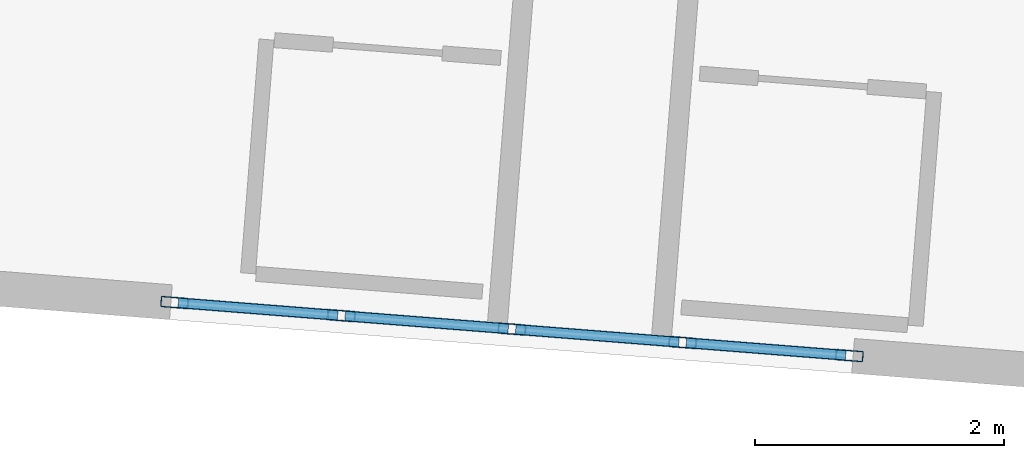
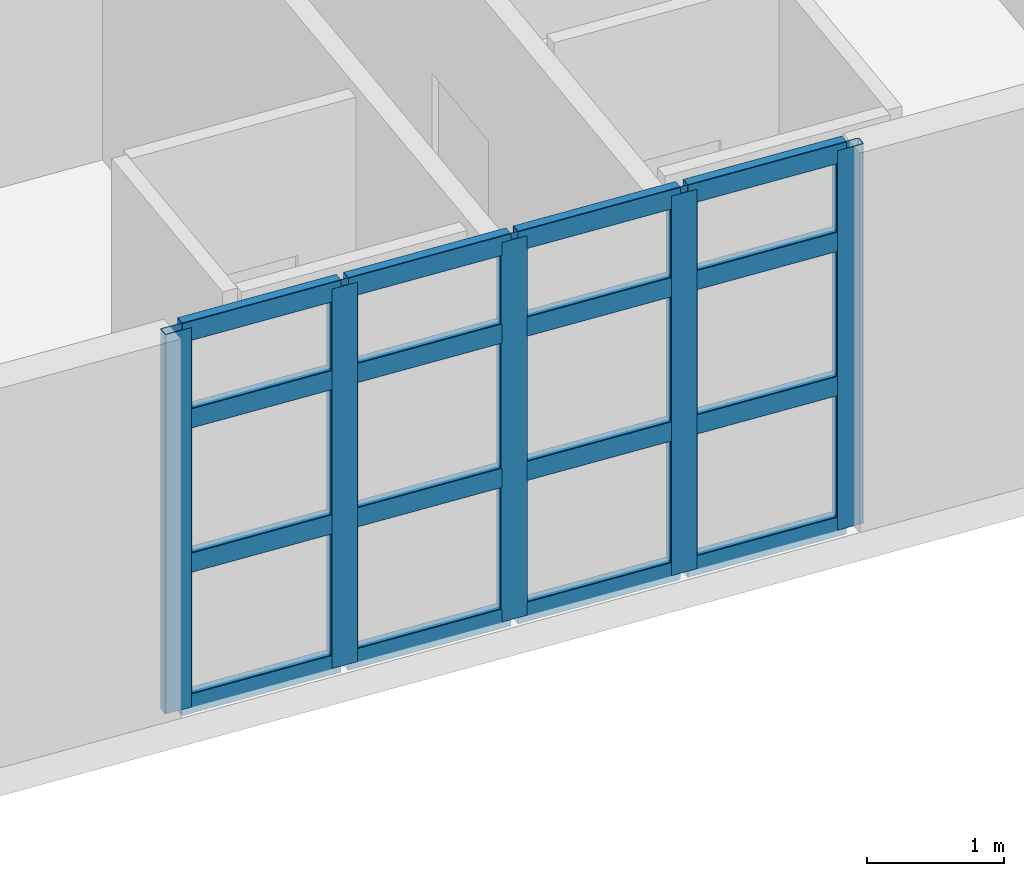
# One storey, part 2 of 23: 21 members, 1 element without a shape of its own.
"""IFC4 building model written with IfcOpenShell, lengths in metres."""

from ifc_helpers import new_model, si_unit, direction, frame, origin, origin_2d, place, context, subcontext, project, spatial, hollow_rectangle, extrude, material, layer, layer_set, material_profile, profile_set, type_object, element, aggregate, save


model = new_model("IFC4")

# Units and contexts
model_context = context("Model", 3, precision=1e-05, world=origin(), true_north=direction((0.0, 1.0)))
body_context = subcontext(model_context, "Body", "Model", "MODEL_VIEW")
ifc_project = project(units=[si_unit("LENGTHUNIT", "METRE"), si_unit("AREAUNIT", "SQUARE_METRE"), si_unit("VOLUMEUNIT", "CUBIC_METRE"), si_unit("PLANEANGLEUNIT", "RADIAN"), si_unit("MASSUNIT", "GRAM", prefix="KILO")], contexts=[model_context])

# Site, building, storey
site_placement = place(None, origin())
site = spatial("IfcSite", under=ifc_project, at=site_placement, CompositionType="ELEMENT")
building_placement = place(site_placement, origin())
building = spatial("IfcBuilding", under=site, at=building_placement, Name="Qingluan Cross Belvedere", CompositionType="ELEMENT")
storey_placement = place(building_placement, frame((0.0, 0.0, 245.39990234375)))
storey = spatial("IfcBuildingStorey", under=building, at=storey_placement, Name="L61", CompositionType="ELEMENT", Elevation=245.39990234375)

# Curtain wall, members
ifc_material_1 = material(Name="Thermally broken aluminium and Low-E glass", Category="aluminium")
ifc_layer = layer(ifc_material_1, 0.219970703125, Name="UnitisedCW_SkyLobbyHigh")
ifc_layer_set = layer_set([ifc_layer], Name="Thermally broken aluminium and Low-E glass")
curtain_wall_type = type_object("IfcCurtainWallType", Name="UnitisedCW_SkyLobbyHigh", PredefinedType="USERDEFINED", material=ifc_layer_set)
curtain_wall_placement = place(storey_placement, origin())
curtain_wall = element("IfcCurtainWall", 1, at=curtain_wall_placement, inside=storey, type_object=curtain_wall_type, Name="UnitisedCW_SkyLobbyHigh run env:cw:L61:S", ObjectType="UNITISED CURTAIN WALL", PredefinedType="USERDEFINED")
ifc_material_2 = material(Name="Aluminium alloy 6063-T6", Category="aluminium")
ifc_material_profile_1 = material_profile(ifc_material_2, hollow_rectangle(XDim=0.0849609375, YDim=0.219970703125, WallThickness=0.0048828125, InnerFilletRadius=0.0048828125, OuterFilletRadius=0.010009765625, at=origin_2d()), Name="CWM220x85x5")
ifc_profile_set_1 = profile_set([ifc_material_profile_1], Name="Aluminium alloy 6063-T6")
member_type_1 = type_object("IfcMemberType", Name="CWMullion_220", PredefinedType="MULLION", material=ifc_profile_set_1)
member_1_placement = place(storey_placement, frame((-5.042236328125, -29.475341796875, 0.0), z_axis=(0.0, 0.0, 1.0), x_axis=(0.078461828752, 0.996917118636, 0.0)))
member_1 = element("IfcMember", 2, at=member_1_placement, type_object=member_type_1, Name="CW-S2 mullion 1", PredefinedType="MULLION", context=body_context, shape_type="SweptSolid", body=[
    extrude(hollow_rectangle(XDim=0.0849609375, YDim=0.219970703125, WallThickness=0.0048828125, InnerFilletRadius=0.0048828125, OuterFilletRadius=0.010009765625, at=origin_2d()), origin(), (0.0, 0.0, 1.0), 3.380126953125),
])
member_2_placement = place(storey_placement, frame((-3.704345703125, -29.58056640625, 0.0), z_axis=(0.0, 0.0, 1.0), x_axis=(0.078461828752, 0.996917118636, 0.0)))
member_2 = element("IfcMember", 3, at=member_2_placement, type_object=member_type_1, Name="CW-S2 mullion 2", PredefinedType="MULLION", context=body_context, shape_type="SweptSolid", body=[
    extrude(hollow_rectangle(XDim=0.0849609375, YDim=0.219970703125, WallThickness=0.0048828125, InnerFilletRadius=0.0048828125, OuterFilletRadius=0.010009765625, at=origin_2d()), origin(), (0.0, 0.0, 1.0), 3.380126953125),
])
member_3_placement = place(storey_placement, frame((-2.336669921875, -29.688232421875, 0.0), z_axis=(0.0, 0.0, 1.0), x_axis=(0.078461828752, 0.996917118636, 0.0)))
member_3 = element("IfcMember", 4, at=member_3_placement, type_object=member_type_1, Name="CW-S2 mullion 3", PredefinedType="MULLION", context=body_context, shape_type="SweptSolid", body=[
    extrude(hollow_rectangle(XDim=0.0849609375, YDim=0.219970703125, WallThickness=0.0048828125, InnerFilletRadius=0.0048828125, OuterFilletRadius=0.010009765625, at=origin_2d()), origin(), (0.0, 0.0, 1.0), 3.380126953125),
])
member_4_placement = place(storey_placement, frame((-0.96875, -29.7958984375, 0.0), z_axis=(0.0, 0.0, 1.0), x_axis=(0.078461828752, 0.996917118636, 0.0)))
member_4 = element("IfcMember", 5, at=member_4_placement, type_object=member_type_1, Name="CW-S2 mullion 4", PredefinedType="MULLION", context=body_context, shape_type="SweptSolid", body=[
    extrude(hollow_rectangle(XDim=0.0849609375, YDim=0.219970703125, WallThickness=0.0048828125, InnerFilletRadius=0.0048828125, OuterFilletRadius=0.010009765625, at=origin_2d()), origin(), (0.0, 0.0, 1.0), 3.380126953125),
])
member_5_placement = place(storey_placement, frame((0.369140625, -29.901123046875, 0.0), z_axis=(0.0, 0.0, 1.0), x_axis=(0.078461828752, 0.996917118636, 0.0)))
member_5 = element("IfcMember", 6, at=member_5_placement, type_object=member_type_1, Name="CW-S2 mullion 5", PredefinedType="MULLION", context=body_context, shape_type="SweptSolid", body=[
    extrude(hollow_rectangle(XDim=0.0849609375, YDim=0.219970703125, WallThickness=0.0048828125, InnerFilletRadius=0.0048828125, OuterFilletRadius=0.010009765625, at=origin_2d()), origin(), (0.0, 0.0, 1.0), 3.380126953125),
])
ifc_material_3 = material(Name="Aluminium alloy 6063-T6", Category="aluminium")
ifc_material_profile_2 = material_profile(ifc_material_3, hollow_rectangle(XDim=0.0849609375, YDim=0.179931640625, WallThickness=0.00390625, InnerFilletRadius=0.00390625, OuterFilletRadius=0.008056640625, at=origin_2d()), Name="CWT180x85x4")
ifc_profile_set_2 = profile_set([ifc_material_profile_2], Name="Aluminium alloy 6063-T6")
member_type_2 = type_object("IfcMemberType", Name="CWTransom_180", PredefinedType="USERDEFINED", material=ifc_profile_set_2)
member_6_placement = place(storey_placement, frame((-5.01220703125, -29.4775390625, 0.030029296875), z_axis=(0.996917384901, -0.078458445574, 0.0), x_axis=(0.078458445574, 0.996917384901, 0.0)))
member_6 = element("IfcMember", 7, at=member_6_placement, type_object=member_type_2, Name="CW-S2 transom 1.1", ObjectType="TRANSOM", PredefinedType="USERDEFINED", context=body_context, shape_type="SweptSolid", body=[
    extrude(hollow_rectangle(XDim=0.0849609375, YDim=0.179931640625, WallThickness=0.00390625, InnerFilletRadius=0.00390625, OuterFilletRadius=0.008056640625, at=origin_2d()), origin(), (0.0, 0.0, 1.0), 1.281982421875),
])
member_7_placement = place(storey_placement, frame((-5.01220703125, -29.4775390625, 1.2841796875), z_axis=(0.996917384901, -0.078458445574, 0.0), x_axis=(0.078458445574, 0.996917384901, 0.0)))
member_7 = element("IfcMember", 8, at=member_7_placement, type_object=member_type_2, Name="CW-S2 transom 1.2", ObjectType="TRANSOM", PredefinedType="USERDEFINED", context=body_context, shape_type="SweptSolid", body=[
    extrude(hollow_rectangle(XDim=0.0849609375, YDim=0.179931640625, WallThickness=0.00390625, InnerFilletRadius=0.00390625, OuterFilletRadius=0.008056640625, at=origin_2d()), origin(), (0.0, 0.0, 1.0), 1.281982421875),
])
member_8_placement = place(storey_placement, frame((-5.01220703125, -29.4775390625, 2.569091796875), z_axis=(0.996917384901, -0.078458445574, 0.0), x_axis=(0.078458445574, 0.996917384901, 0.0)))
member_8 = element("IfcMember", 9, at=member_8_placement, type_object=member_type_2, Name="CW-S2 transom 1.3", ObjectType="TRANSOM", PredefinedType="USERDEFINED", context=body_context, shape_type="SweptSolid", body=[
    extrude(hollow_rectangle(XDim=0.0849609375, YDim=0.179931640625, WallThickness=0.00390625, InnerFilletRadius=0.00390625, OuterFilletRadius=0.008056640625, at=origin_2d()), origin(), (0.0, 0.0, 1.0), 1.281982421875),
])
member_9_placement = place(storey_placement, frame((-5.01220703125, -29.4775390625, 3.35009765625), z_axis=(0.996917384901, -0.078458445574, 0.0), x_axis=(0.078458445574, 0.996917384901, 0.0)))
member_9 = element("IfcMember", 10, at=member_9_placement, type_object=member_type_2, Name="CW-S2 transom 1.4", ObjectType="TRANSOM", PredefinedType="USERDEFINED", context=body_context, shape_type="SweptSolid", body=[
    extrude(hollow_rectangle(XDim=0.0849609375, YDim=0.179931640625, WallThickness=0.00390625, InnerFilletRadius=0.00390625, OuterFilletRadius=0.008056640625, at=origin_2d()), origin(), (0.0, 0.0, 1.0), 1.281982421875),
])
member_10_placement = place(storey_placement, frame((-3.67431640625, -29.5830078125, 0.030029296875), z_axis=(0.9969261345, -0.078347191082, 0.0), x_axis=(0.078347191082, 0.9969261345, 0.0)))
member_10 = element("IfcMember", 11, at=member_10_placement, type_object=member_type_2, Name="CW-S2 transom 2.1", ObjectType="TRANSOM", PredefinedType="USERDEFINED", context=body_context, shape_type="SweptSolid", body=[
    extrude(hollow_rectangle(XDim=0.0849609375, YDim=0.179931640625, WallThickness=0.00390625, InnerFilletRadius=0.00390625, OuterFilletRadius=0.008056640625, at=origin_2d()), origin(), (0.0, 0.0, 1.0), 1.31201171875),
])
member_11_placement = place(storey_placement, frame((-3.67431640625, -29.5830078125, 1.2841796875), z_axis=(0.9969261345, -0.078347191082, 0.0), x_axis=(0.078347191082, 0.9969261345, 0.0)))
member_11 = element("IfcMember", 12, at=member_11_placement, type_object=member_type_2, Name="CW-S2 transom 2.2", ObjectType="TRANSOM", PredefinedType="USERDEFINED", context=body_context, shape_type="SweptSolid", body=[
    extrude(hollow_rectangle(XDim=0.0849609375, YDim=0.179931640625, WallThickness=0.00390625, InnerFilletRadius=0.00390625, OuterFilletRadius=0.008056640625, at=origin_2d()), origin(), (0.0, 0.0, 1.0), 1.31201171875),
])
member_12_placement = place(storey_placement, frame((-3.67431640625, -29.5830078125, 2.569091796875), z_axis=(0.9969261345, -0.078347191082, 0.0), x_axis=(0.078347191082, 0.9969261345, 0.0)))
member_12 = element("IfcMember", 13, at=member_12_placement, type_object=member_type_2, Name="CW-S2 transom 2.3", ObjectType="TRANSOM", PredefinedType="USERDEFINED", context=body_context, shape_type="SweptSolid", body=[
    extrude(hollow_rectangle(XDim=0.0849609375, YDim=0.179931640625, WallThickness=0.00390625, InnerFilletRadius=0.00390625, OuterFilletRadius=0.008056640625, at=origin_2d()), origin(), (0.0, 0.0, 1.0), 1.31201171875),
])
member_13_placement = place(storey_placement, frame((-3.67431640625, -29.5830078125, 3.35009765625), z_axis=(0.9969261345, -0.078347191082, 0.0), x_axis=(0.078347191082, 0.9969261345, 0.0)))
member_13 = element("IfcMember", 14, at=member_13_placement, type_object=member_type_2, Name="CW-S2 transom 2.4", ObjectType="TRANSOM", PredefinedType="USERDEFINED", context=body_context, shape_type="SweptSolid", body=[
    extrude(hollow_rectangle(XDim=0.0849609375, YDim=0.179931640625, WallThickness=0.00390625, InnerFilletRadius=0.00390625, OuterFilletRadius=0.008056640625, at=origin_2d()), origin(), (0.0, 0.0, 1.0), 1.31201171875),
])
member_14_placement = place(storey_placement, frame((-2.306640625, -29.690673828125, 0.030029296875), z_axis=(0.9969261345, -0.078347191082, 0.0), x_axis=(0.078347191082, 0.9969261345, 0.0)))
member_14 = element("IfcMember", 15, at=member_14_placement, type_object=member_type_2, Name="CW-S2 transom 3.1", ObjectType="TRANSOM", PredefinedType="USERDEFINED", context=body_context, shape_type="SweptSolid", body=[
    extrude(hollow_rectangle(XDim=0.0849609375, YDim=0.179931640625, WallThickness=0.00390625, InnerFilletRadius=0.00390625, OuterFilletRadius=0.008056640625, at=origin_2d()), origin(), (0.0, 0.0, 1.0), 1.31201171875),
])
member_15_placement = place(storey_placement, frame((-2.306640625, -29.690673828125, 1.2841796875), z_axis=(0.9969261345, -0.078347191082, 0.0), x_axis=(0.078347191082, 0.9969261345, 0.0)))
member_15 = element("IfcMember", 16, at=member_15_placement, type_object=member_type_2, Name="CW-S2 transom 3.2", ObjectType="TRANSOM", PredefinedType="USERDEFINED", context=body_context, shape_type="SweptSolid", body=[
    extrude(hollow_rectangle(XDim=0.0849609375, YDim=0.179931640625, WallThickness=0.00390625, InnerFilletRadius=0.00390625, OuterFilletRadius=0.008056640625, at=origin_2d()), origin(), (0.0, 0.0, 1.0), 1.31201171875),
])
member_16_placement = place(storey_placement, frame((-2.306640625, -29.690673828125, 2.569091796875), z_axis=(0.9969261345, -0.078347191082, 0.0), x_axis=(0.078347191082, 0.9969261345, 0.0)))
member_16 = element("IfcMember", 17, at=member_16_placement, type_object=member_type_2, Name="CW-S2 transom 3.3", ObjectType="TRANSOM", PredefinedType="USERDEFINED", context=body_context, shape_type="SweptSolid", body=[
    extrude(hollow_rectangle(XDim=0.0849609375, YDim=0.179931640625, WallThickness=0.00390625, InnerFilletRadius=0.00390625, OuterFilletRadius=0.008056640625, at=origin_2d()), origin(), (0.0, 0.0, 1.0), 1.31201171875),
])
member_17_placement = place(storey_placement, frame((-2.306640625, -29.690673828125, 3.35009765625), z_axis=(0.9969261345, -0.078347191082, 0.0), x_axis=(0.078347191082, 0.9969261345, 0.0)))
member_17 = element("IfcMember", 18, at=member_17_placement, type_object=member_type_2, Name="CW-S2 transom 3.4", ObjectType="TRANSOM", PredefinedType="USERDEFINED", context=body_context, shape_type="SweptSolid", body=[
    extrude(hollow_rectangle(XDim=0.0849609375, YDim=0.179931640625, WallThickness=0.00390625, InnerFilletRadius=0.00390625, OuterFilletRadius=0.008056640625, at=origin_2d()), origin(), (0.0, 0.0, 1.0), 1.31201171875),
])
member_18_placement = place(storey_placement, frame((-0.93896484375, -29.798095703125, 0.030029296875), z_axis=(0.996917384901, -0.078458445574, 0.0), x_axis=(0.078458445574, 0.996917384901, 0.0)))
member_18 = element("IfcMember", 19, at=member_18_placement, type_object=member_type_2, Name="CW-S2 transom 4.1", ObjectType="TRANSOM", PredefinedType="USERDEFINED", context=body_context, shape_type="SweptSolid", body=[
    extrude(hollow_rectangle(XDim=0.0849609375, YDim=0.179931640625, WallThickness=0.00390625, InnerFilletRadius=0.00390625, OuterFilletRadius=0.008056640625, at=origin_2d()), origin(), (0.0, 0.0, 1.0), 1.281982421875),
])
member_19_placement = place(storey_placement, frame((-0.93896484375, -29.798095703125, 1.2841796875), z_axis=(0.996917384901, -0.078458445574, 0.0), x_axis=(0.078458445574, 0.996917384901, 0.0)))
member_19 = element("IfcMember", 20, at=member_19_placement, type_object=member_type_2, Name="CW-S2 transom 4.2", ObjectType="TRANSOM", PredefinedType="USERDEFINED", context=body_context, shape_type="SweptSolid", body=[
    extrude(hollow_rectangle(XDim=0.0849609375, YDim=0.179931640625, WallThickness=0.00390625, InnerFilletRadius=0.00390625, OuterFilletRadius=0.008056640625, at=origin_2d()), origin(), (0.0, 0.0, 1.0), 1.281982421875),
])
member_20_placement = place(storey_placement, frame((-0.93896484375, -29.798095703125, 2.569091796875), z_axis=(0.996917384901, -0.078458445574, 0.0), x_axis=(0.078458445574, 0.996917384901, 0.0)))
member_20 = element("IfcMember", 21, at=member_20_placement, type_object=member_type_2, Name="CW-S2 transom 4.3", ObjectType="TRANSOM", PredefinedType="USERDEFINED", context=body_context, shape_type="SweptSolid", body=[
    extrude(hollow_rectangle(XDim=0.0849609375, YDim=0.179931640625, WallThickness=0.00390625, InnerFilletRadius=0.00390625, OuterFilletRadius=0.008056640625, at=origin_2d()), origin(), (0.0, 0.0, 1.0), 1.281982421875),
])
member_21_placement = place(storey_placement, frame((-0.93896484375, -29.798095703125, 3.35009765625), z_axis=(0.996917384901, -0.078458445574, 0.0), x_axis=(0.078458445574, 0.996917384901, 0.0)))
member_21 = element("IfcMember", 22, at=member_21_placement, type_object=member_type_2, Name="CW-S2 transom 4.4", ObjectType="TRANSOM", PredefinedType="USERDEFINED", context=body_context, shape_type="SweptSolid", body=[
    extrude(hollow_rectangle(XDim=0.0849609375, YDim=0.179931640625, WallThickness=0.00390625, InnerFilletRadius=0.00390625, OuterFilletRadius=0.008056640625, at=origin_2d()), origin(), (0.0, 0.0, 1.0), 1.281982421875),
])
aggregate(curtain_wall, [member_1, member_2, member_3, member_4, member_5, member_6, member_7, member_8, member_9, member_10, member_11, member_12, member_13, member_14, member_15, member_16, member_17, member_18, member_19, member_20, member_21])

save(model, "model.ifc")
